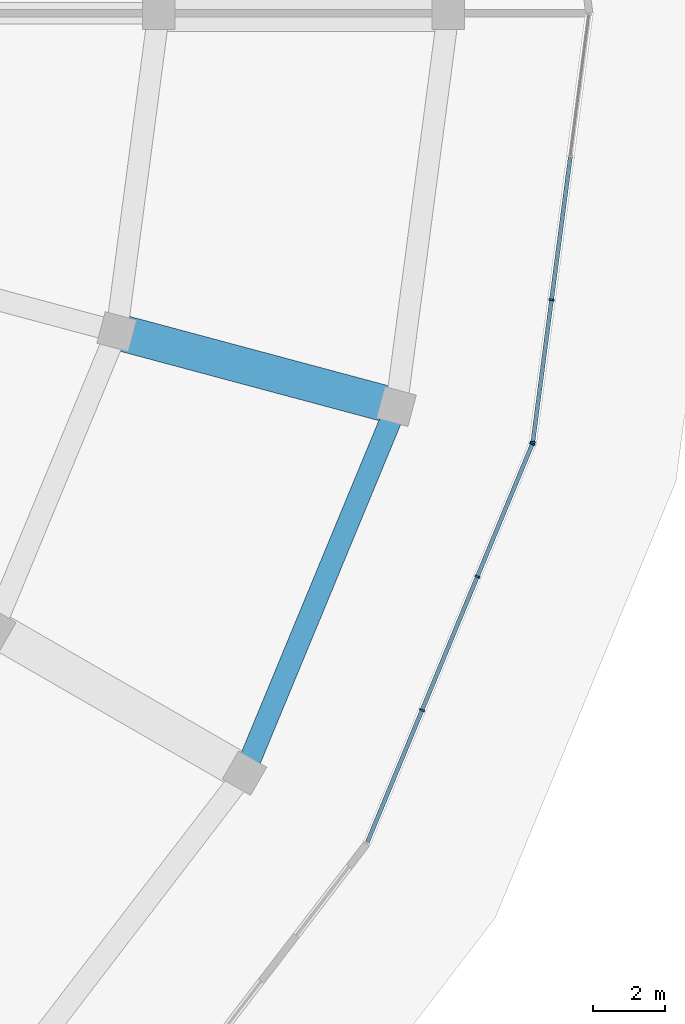
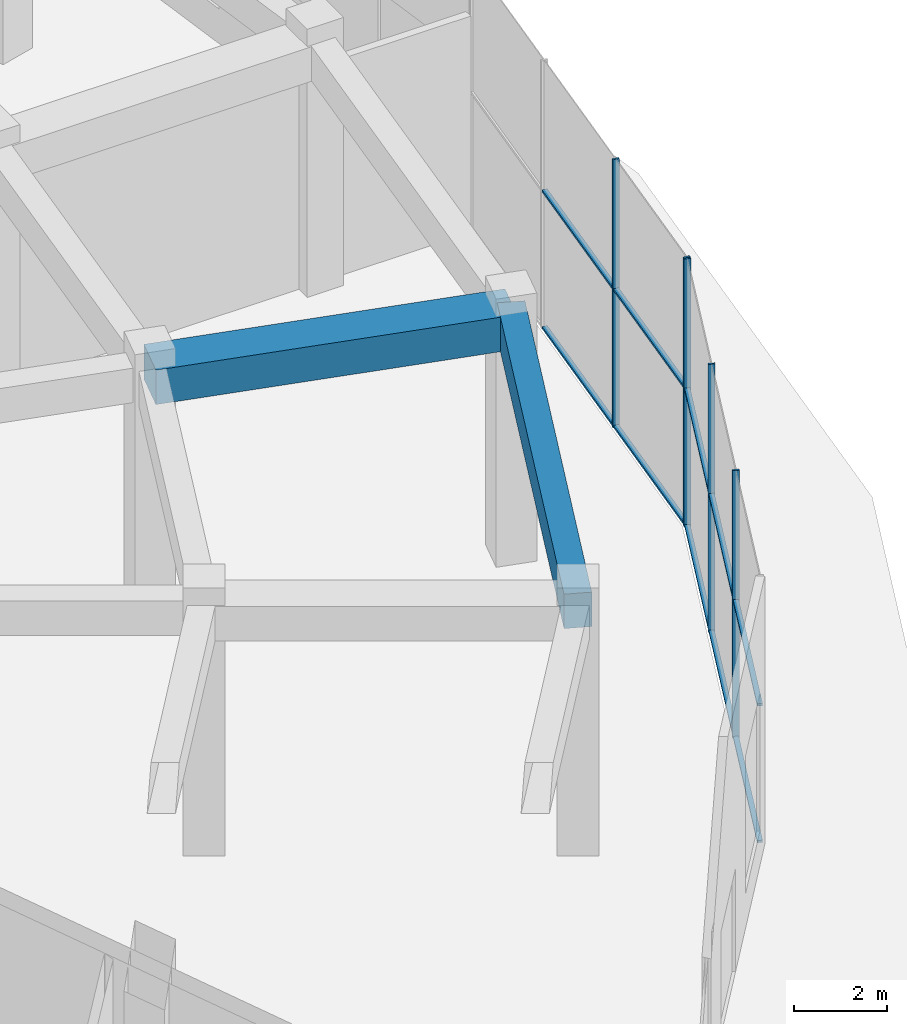
# One storey, part 9 of 31: 15 members, 2 beams, 2 elements without a shape of their own.
"""IFC4 building model written with IfcOpenShell, lengths in metres."""

from ifc_helpers import new_model, si_unit, direction, frame, origin, origin_2d, place, context, subcontext, project, spatial, rectangle, extrude, material, layer, layer_set, material_profile, profile_set, type_object, element, aggregate, save


model = new_model("IFC4")

# Units and contexts
model_context = context("Model", 3, precision=1e-05, world=origin(), true_north=direction((0.0, 1.0)))
body_context = subcontext(model_context, "Body", "Model", "MODEL_VIEW")
ifc_project = project(units=[si_unit("LENGTHUNIT", "METRE"), si_unit("AREAUNIT", "SQUARE_METRE"), si_unit("VOLUMEUNIT", "CUBIC_METRE"), si_unit("PLANEANGLEUNIT", "RADIAN"), si_unit("MASSUNIT", "GRAM", prefix="KILO")], contexts=[model_context])

# Site, building, storey
site_placement = place(None, origin())
site = spatial("IfcSite", under=ifc_project, at=site_placement, CompositionType="ELEMENT")
building_placement = place(site_placement, origin())
building = spatial("IfcBuilding", under=site, at=building_placement, Name="Torre Brocal", CompositionType="ELEMENT")
storey_placement = place(building_placement, origin())
storey = spatial("IfcBuildingStorey", under=building, at=storey_placement, Name="L00", CompositionType="ELEMENT", Elevation=0.0)

# Curtain wall, members
ifc_material_1 = material(Name="Aluminium and glass", Category="aluminium")
ifc_layer = layer(ifc_material_1, 0.199951171875)
ifc_layer_set = layer_set([ifc_layer], Name="Aluminium and glass")
curtain_wall_type = type_object("IfcCurtainWallType", Name="CW-3 CURTAIN WALL 7000 HIGH", PredefinedType="NOTDEFINED", material=ifc_layer_set)
curtain_wall_1_placement = place(storey_placement, origin())
curtain_wall_1 = element("IfcCurtainWall", 1, at=curtain_wall_1_placement, inside=storey, type_object=curtain_wall_type, Name="CW-3 RUN 23", PredefinedType="NOTDEFINED")
ifc_material_2 = material(Name="Aluminium, dark anodised", Category="aluminium")
ifc_material_profile_1 = material_profile(ifc_material_2, rectangle(XDim=0.14990234375, YDim=0.050048828125, at=origin_2d()), Name="CW-3 MULLION 50X150")
ifc_profile_set_1 = profile_set([ifc_material_profile_1], Name="Aluminium, dark anodised")
member_type_1 = type_object("IfcMemberType", Name="CW-3 MULLION 50X150", PredefinedType="MULLION", material=ifc_profile_set_1)
member_1_placement = place(storey_placement, frame((121.2783203125, 55.740478515625, 0.0), z_axis=(0.0, 0.0, 1.0), x_axis=(-0.923879532525, 0.382683432333, 0.0)))
member_1 = element("IfcMember", 2, at=member_1_placement, type_object=member_type_1, Name="CW3-1 mullion 2", PredefinedType="MULLION", context=body_context, shape_type="SweptSolid", body=[
    extrude(rectangle(XDim=0.14990234375, YDim=0.050048828125, at=origin_2d()), origin(), (0.0, 0.0, 1.0), 7.0),
])
member_2_placement = place(storey_placement, frame((122.806640625, 59.430419921875, 0.0), z_axis=(0.0, 0.0, 1.0), x_axis=(-0.923879532525, 0.382683432333, 0.0)))
member_2 = element("IfcMember", 3, at=member_2_placement, type_object=member_type_1, Name="CW3-1 mullion 3", PredefinedType="MULLION", context=body_context, shape_type="SweptSolid", body=[
    extrude(rectangle(XDim=0.14990234375, YDim=0.050048828125, at=origin_2d()), origin(), (0.0, 0.0, 1.0), 7.0),
])
member_3_placement = place(storey_placement, frame((124.32568359375, 63.097412109375, 0.0), z_axis=(0.0, 0.0, 1.0), x_axis=(-0.923879532525, 0.382683432333, 0.0)))
member_3 = element("IfcMember", 4, at=member_3_placement, type_object=member_type_1, Name="CW3-1 mullion 4", PredefinedType="MULLION", context=body_context, shape_type="SweptSolid", body=[
    extrude(rectangle(XDim=0.14990234375, YDim=0.050048828125, at=origin_2d()), origin(), (0.0, 0.0, 1.0), 7.0),
])

curtain_wall_2_placement = place(storey_placement, origin())
curtain_wall_2 = element("IfcCurtainWall", 5, at=curtain_wall_2_placement, inside=storey, type_object=curtain_wall_type, Name="CW-3 RUN 24", PredefinedType="NOTDEFINED")
member_4_placement = place(storey_placement, frame((124.33837890625, 63.145263671875, 0.0), z_axis=(0.0, 0.0, 1.0), x_axis=(-0.991444861372, 0.130526192237, 0.0)))
member_4 = element("IfcMember", 6, at=member_4_placement, type_object=member_type_1, Name="CW3-1 mullion 1", PredefinedType="MULLION", context=body_context, shape_type="SweptSolid", body=[
    extrude(rectangle(XDim=0.14990234375, YDim=0.050048828125, at=origin_2d()), origin(), (0.0, 0.0, 1.0), 7.0),
])
member_5_placement = place(storey_placement, frame((124.8564453125, 67.080322265625, 0.0), z_axis=(0.0, 0.0, 1.0), x_axis=(-0.991444861372, 0.130526192237, 0.0)))
member_5 = element("IfcMember", 7, at=member_5_placement, type_object=member_type_1, Name="CW3-1 mullion 2", PredefinedType="MULLION", context=body_context, shape_type="SweptSolid", body=[
    extrude(rectangle(XDim=0.14990234375, YDim=0.050048828125, at=origin_2d()), origin(), (0.0, 0.0, 1.0), 7.0),
])

# Member
ifc_material_3 = material(Name="Aluminium, dark anodised", Category="aluminium")
ifc_material_profile_2 = material_profile(ifc_material_3, rectangle(XDim=0.1201171875, YDim=0.06005859375, at=origin_2d()), Name="CW-3 TRANSOM 120X60")
ifc_profile_set_2 = profile_set([ifc_material_profile_2], Name="Aluminium, dark anodised")
member_type_2 = type_object("IfcMemberType", Name="CW-3 TRANSOM 120X60", PredefinedType="USERDEFINED", material=ifc_profile_set_2)
member_6_placement = place(storey_placement, frame((119.76904296875, 52.0966796875, 0.030029296875), z_axis=(0.382694751573, 0.92387484386, 0.0), x_axis=(-0.92387484386, 0.382694751573, 0.0)))
member_6 = element("IfcMember", 8, at=member_6_placement, type_object=member_type_2, Name="CW3-1 transom 1.1", ObjectType="TRANSOM", PredefinedType="USERDEFINED", context=body_context, shape_type="SweptSolid", body=[
    extrude(rectangle(XDim=0.1201171875, YDim=0.06005859375, at=origin_2d()), origin(), (0.0, 0.0, 1.0), 3.9189453125),
])

member_7_placement = place(storey_placement, frame((119.76904296875, 52.0966796875, 3.60009765625), z_axis=(0.382694751573, 0.92387484386, 0.0), x_axis=(-0.92387484386, 0.382694751573, 0.0)))
member_7 = element("IfcMember", 9, at=member_7_placement, type_object=member_type_2, Name="CW3-1 transom 1.2", ObjectType="TRANSOM", PredefinedType="USERDEFINED", context=body_context, shape_type="SweptSolid", body=[
    extrude(rectangle(XDim=0.1201171875, YDim=0.06005859375, at=origin_2d()), origin(), (0.0, 0.0, 1.0), 3.9189453125),
])

member_8_placement = place(storey_placement, frame((121.287841796875, 55.763427734375, 0.030029296875), z_axis=(0.382676171661, 0.92388253996, 0.0), x_axis=(-0.92388253996, 0.382676171661, 0.0)))
member_8 = element("IfcMember", 10, at=member_8_placement, type_object=member_type_2, Name="CW3-1 transom 2.1", ObjectType="TRANSOM", PredefinedType="USERDEFINED", context=body_context, shape_type="SweptSolid", body=[
    extrude(rectangle(XDim=0.1201171875, YDim=0.06005859375, at=origin_2d()), origin(), (0.0, 0.0, 1.0), 3.944091796875),
])

member_9_placement = place(storey_placement, frame((121.287841796875, 55.763427734375, 3.60009765625), z_axis=(0.382676171661, 0.92388253996, 0.0), x_axis=(-0.92388253996, 0.382676171661, 0.0)))
member_9 = element("IfcMember", 11, at=member_9_placement, type_object=member_type_2, Name="CW3-1 transom 2.2", ObjectType="TRANSOM", PredefinedType="USERDEFINED", context=body_context, shape_type="SweptSolid", body=[
    extrude(rectangle(XDim=0.1201171875, YDim=0.06005859375, at=origin_2d()), origin(), (0.0, 0.0, 1.0), 3.944091796875),
])

member_10_placement = place(storey_placement, frame((122.816162109375, 59.45361328125, 0.030029296875), z_axis=(0.382694751573, 0.92387484386, 0.0), x_axis=(-0.92387484386, 0.382694751573, 0.0)))
member_10 = element("IfcMember", 12, at=member_10_placement, type_object=member_type_2, Name="CW3-1 transom 3.1", ObjectType="TRANSOM", PredefinedType="USERDEFINED", context=body_context, shape_type="SweptSolid", body=[
    extrude(rectangle(XDim=0.1201171875, YDim=0.06005859375, at=origin_2d()), origin(), (0.0, 0.0, 1.0), 3.9189453125),
])

member_11_placement = place(storey_placement, frame((122.816162109375, 59.45361328125, 3.60009765625), z_axis=(0.382694751573, 0.92387484386, 0.0), x_axis=(-0.92387484386, 0.382694751573, 0.0)))
member_11 = element("IfcMember", 13, at=member_11_placement, type_object=member_type_2, Name="CW3-1 transom 3.2", ObjectType="TRANSOM", PredefinedType="USERDEFINED", context=body_context, shape_type="SweptSolid", body=[
    extrude(rectangle(XDim=0.1201171875, YDim=0.06005859375, at=origin_2d()), origin(), (0.0, 0.0, 1.0), 3.9189453125),
])

aggregate(curtain_wall_1, [member_1, member_2, member_3, member_6, member_7, member_8, member_9, member_10, member_11])

member_12_placement = place(storey_placement, frame((124.341796875, 63.169921875, 0.030029296875), z_axis=(0.130510914119, 0.991446872654, 0.0), x_axis=(-0.991446872654, 0.130510914119, 0.0)))
member_12 = element("IfcMember", 14, at=member_12_placement, type_object=member_type_2, Name="CW3-1 transom 1.1", ObjectType="TRANSOM", PredefinedType="USERDEFINED", context=body_context, shape_type="SweptSolid", body=[
    extrude(rectangle(XDim=0.1201171875, YDim=0.06005859375, at=origin_2d()), origin(), (0.0, 0.0, 1.0), 3.9189453125),
])

member_13_placement = place(storey_placement, frame((124.341796875, 63.169921875, 3.60009765625), z_axis=(0.130510914119, 0.991446872654, 0.0), x_axis=(-0.991446872654, 0.130510914119, 0.0)))
member_13 = element("IfcMember", 15, at=member_13_placement, type_object=member_type_2, Name="CW3-1 transom 1.2", ObjectType="TRANSOM", PredefinedType="USERDEFINED", context=body_context, shape_type="SweptSolid", body=[
    extrude(rectangle(XDim=0.1201171875, YDim=0.06005859375, at=origin_2d()), origin(), (0.0, 0.0, 1.0), 3.9189453125),
])

member_14_placement = place(storey_placement, frame((124.85986328125, 67.10498046875, 0.030029296875), z_axis=(0.130484935729, 0.991450292021, 0.0), x_axis=(-0.991450292021, 0.130484935729, 0.0)))
member_14 = element("IfcMember", 16, at=member_14_placement, type_object=member_type_2, Name="CW3-1 transom 2.1", ObjectType="TRANSOM", PredefinedType="USERDEFINED", context=body_context, shape_type="SweptSolid", body=[
    extrude(rectangle(XDim=0.1201171875, YDim=0.06005859375, at=origin_2d()), origin(), (0.0, 0.0, 1.0), 3.944091796875),
])

member_15_placement = place(storey_placement, frame((124.85986328125, 67.10498046875, 3.60009765625), z_axis=(0.130484935729, 0.991450292021, 0.0), x_axis=(-0.991450292021, 0.130484935729, 0.0)))
member_15 = element("IfcMember", 17, at=member_15_placement, type_object=member_type_2, Name="CW3-1 transom 2.2", ObjectType="TRANSOM", PredefinedType="USERDEFINED", context=body_context, shape_type="SweptSolid", body=[
    extrude(rectangle(XDim=0.1201171875, YDim=0.06005859375, at=origin_2d()), origin(), (0.0, 0.0, 1.0), 3.944091796875),
])

aggregate(curtain_wall_2, [member_4, member_5, member_12, member_13, member_14, member_15])

# Beams
ifc_material_4 = material(Name="Concrete C50", Category="concrete")
ifc_material_profile_3 = material_profile(ifc_material_4, rectangle(XDim=0.60009765625, YDim=0.89990234375, at=origin_2d()), Name="RC 600X900")
ifc_profile_set_3 = profile_set([ifc_material_profile_3], Name="Concrete C50")
beam_type_1 = type_object("IfcBeamType", Name="RC BEAM 600X900 C50 TOP 6550", PredefinedType="BEAM", material=ifc_profile_set_3)
beam_1_placement = place(storey_placement, frame((116.373046875, 54.0, 6.10009765625), z_axis=(0.382680868131, 0.923880594648, 0.0), x_axis=(-0.923880594648, 0.382680868131, 0.0)))
element("IfcBeam", 18, at=beam_1_placement, inside=storey, type_object=beam_type_1, Name="Beam BT-07", PredefinedType="BEAM", context=body_context, shape_type="SweptSolid", body=[
    extrude(rectangle(XDim=0.60009765625, YDim=0.89990234375, at=origin_2d()), origin(), (0.0, 0.0, 1.0), 10.964111328125),
])
ifc_material_5 = material(Name="Concrete C60", Category="concrete")
ifc_material_profile_4 = material_profile(ifc_material_5, rectangle(XDim=1.0, YDim=0.89990234375, at=origin_2d()), Name="RC 1000X900")
ifc_profile_set_4 = profile_set([ifc_material_profile_4], Name="Concrete C60")
beam_type_2 = type_object("IfcBeamType", Name="RC TRANSFER GIRDER 1000X900 C60 TOP 6550", PredefinedType="BEAM", material=ifc_profile_set_4)
beam_2_placement = place(storey_placement, frame((112.841552734375, 66.2001953125, 6.10009765625), z_axis=(0.965924757309, -0.258823034556, 0.0), x_axis=(0.258823034556, 0.965924757309, 0.0)))
element("IfcBeam", 19, at=beam_2_placement, inside=storey, type_object=beam_type_2, Name="Beam TG-01", PredefinedType="BEAM", context=body_context, shape_type="SweptSolid", body=[
    extrude(rectangle(XDim=1.0, YDim=0.89990234375, at=origin_2d()), origin(), (0.0, 0.0, 1.0), 8.0),
])

save(model, "model.ifc")
